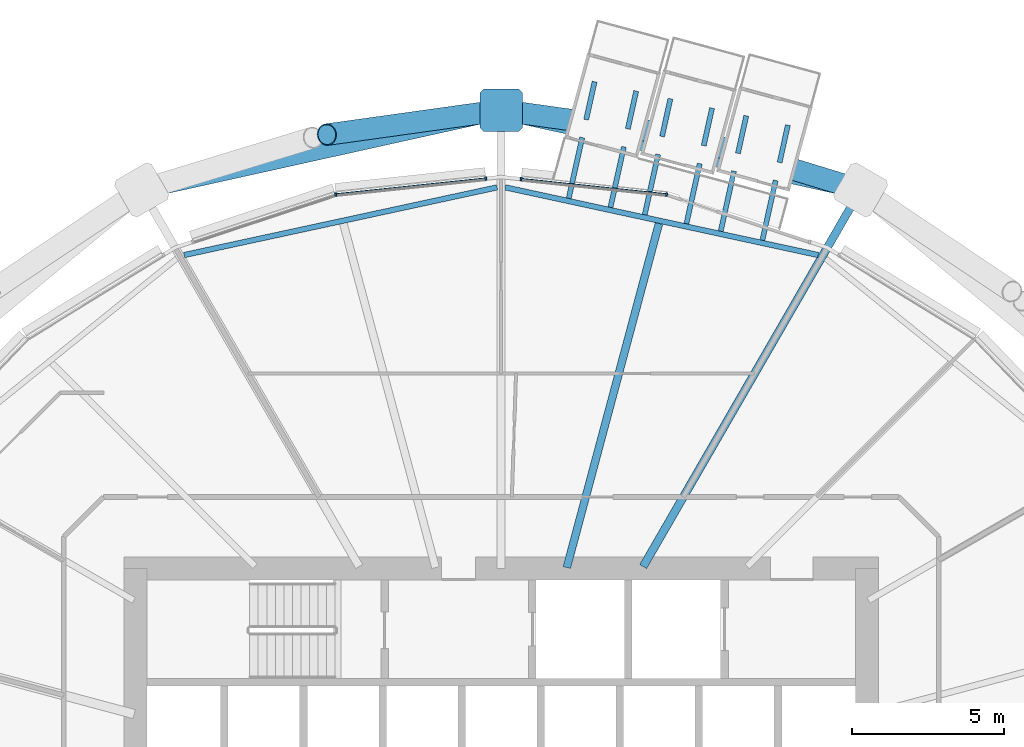
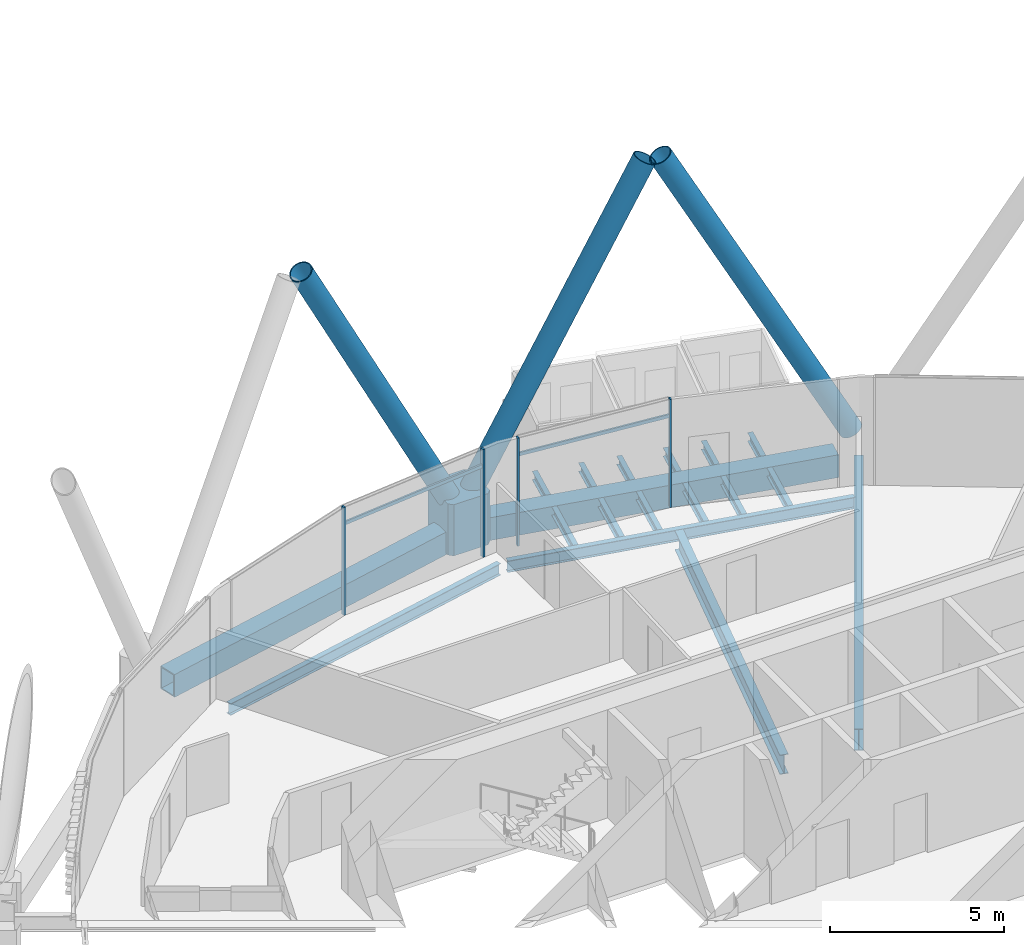
# One storey, part 12 of 38: 18 beams, 10 members, 1 element without a shape of its own.
"""IFC4 building model written with IfcOpenShell, lengths in metres."""

from ifc_helpers import new_model, si_unit, direction, frame, origin, origin_2d, place, context, subcontext, project, spatial, polyline, rectangle, hollow_rectangle, hollow_circle, i_section, outline, extrude, material, material_profile, profile_set, type_object, element, aggregate, save


model = new_model("IFC4")

# Units and contexts
model_context = context("Model", 3, precision=1e-05, world=origin(), true_north=direction((0.0, 1.0)))
body_context = subcontext(model_context, "Body", "Model", "MODEL_VIEW")
ifc_project = project(units=[si_unit("LENGTHUNIT", "METRE"), si_unit("AREAUNIT", "SQUARE_METRE"), si_unit("VOLUMEUNIT", "CUBIC_METRE"), si_unit("PLANEANGLEUNIT", "RADIAN"), si_unit("MASSUNIT", "GRAM", prefix="KILO")], contexts=[model_context])

# Site, building, storey
site_placement = place(None, origin())
site = spatial("IfcSite", under=ifc_project, at=site_placement, CompositionType="ELEMENT")
building_placement = place(site_placement, origin())
building = spatial("IfcBuilding", under=site, at=building_placement, Name="Rimbun Link Towers", CompositionType="ELEMENT")
storey_placement = place(building_placement, frame((0.0, 0.0, 104.39990234375)))
storey = spatial("IfcBuildingStorey", under=building, at=storey_placement, Name="L25", CompositionType="ELEMENT", Elevation=104.39990234375)

# Curtain wall, members
ifc_material_1 = material(Name="Aluminium 6063-T6 and low-iron glass", Category="aluminium")
curtain_wall_type = type_object("IfcCurtainWallType", Name="CW1-Z2 unitised vision wall (zone 2)", PredefinedType="NOTDEFINED", material=ifc_material_1)
curtain_wall_placement = place(storey_placement, origin())
curtain_wall = element("IfcCurtainWall", 1, at=curtain_wall_placement, inside=storey, type_object=curtain_wall_type, Name="CW1 L25 T1", PredefinedType="NOTDEFINED")
ifc_material_2 = material(Name="Aluminium 6063-T6", Category="aluminium")
ifc_material_profile_1 = material_profile(ifc_material_2, rectangle(XDim=0.1201171875, YDim=0.06005859375, at=origin_2d()), Name="MULLION 60X120")
ifc_profile_set_1 = profile_set([ifc_material_profile_1], Name="Aluminium 6063-T6")
member_type_1 = type_object("IfcMemberType", Name="CW1 mullion 60X120", PredefinedType="MULLION", material=ifc_profile_set_1)
member_1_placement = place(storey_placement, frame((-26.320068359375, 20.276123046875, 0.0), z_axis=(0.0, 0.0, 1.0), x_axis=(0.210864978702, 0.9775151972, 0.0)))
member_1 = element("IfcMember", 2, at=member_1_placement, type_object=member_type_1, Name="CW1 mullion", PredefinedType="MULLION", context=body_context, shape_type="SweptSolid", body=[
    extrude(rectangle(XDim=0.1201171875, YDim=0.06005859375, at=origin_2d()), origin(), (0.0, 0.0, 1.0), 3.800048828125),
])
member_2_placement = place(storey_placement, frame((-31.097412109375, 20.779541015625, 0.0), z_axis=(0.0, 0.0, 1.0), x_axis=(0.104731609524, 0.994500522859, 0.0)))
member_2 = element("IfcMember", 3, at=member_2_placement, type_object=member_type_1, Name="CW1 mullion", PredefinedType="MULLION", context=body_context, shape_type="SweptSolid", body=[
    extrude(rectangle(XDim=0.1201171875, YDim=0.06005859375, at=origin_2d()), origin(), (0.0, 0.0, 1.0), 3.800048828125),
])
member_3_placement = place(storey_placement, frame((-37.179931640625, 20.276123046875, 0.0), z_axis=(0.0, 0.0, 1.0), x_axis=(-0.210864978702, 0.9775151972, 0.0)))
member_3 = element("IfcMember", 4, at=member_3_placement, type_object=member_type_1, Name="CW1 mullion", PredefinedType="MULLION", context=body_context, shape_type="SweptSolid", body=[
    extrude(rectangle(XDim=0.1201171875, YDim=0.06005859375, at=origin_2d()), origin(), (0.0, 0.0, 1.0), 3.800048828125),
])
member_4_placement = place(storey_placement, frame((-32.25341796875, 20.79541015625, 0.0), z_axis=(0.0, 0.0, 1.0), x_axis=(-0.104731609524, 0.994500522859, 0.0)))
member_4 = element("IfcMember", 5, at=member_4_placement, type_object=member_type_1, Name="CW1 mullion", PredefinedType="MULLION", context=body_context, shape_type="SweptSolid", body=[
    extrude(rectangle(XDim=0.1201171875, YDim=0.06005859375, at=origin_2d()), origin(), (0.0, 0.0, 1.0), 3.800048828125),
])
ifc_material_3 = material(Name="Aluminium 6063-T6", Category="aluminium")
ifc_material_profile_2 = material_profile(ifc_material_3, rectangle(XDim=0.06005859375, YDim=0.1201171875, at=origin_2d()), Name="TRANSOM 60X120")
ifc_profile_set_2 = profile_set([ifc_material_profile_2], Name="Aluminium 6063-T6")
member_type_2 = type_object("IfcMemberType", Name="CW1 transom 60X120", PredefinedType="USERDEFINED", material=ifc_profile_set_2)
member_5_placement = place(storey_placement, frame((-31.067626953125, 20.7744140625, 3.2001953125), z_axis=(0.994501498721, -0.104722342613, 0.0), x_axis=(0.104722342613, 0.994501498721, 0.0)))
member_5 = element("IfcMember", 6, at=member_5_placement, type_object=member_type_2, Name="CW1 transom", ObjectType="TRANSOM", PredefinedType="USERDEFINED", context=body_context, shape_type="SweptSolid", body=[
    extrude(rectangle(XDim=0.06005859375, YDim=0.1201171875, at=origin_2d()), origin(), (0.0, 0.0, 1.0), 4.7373046875),
])
member_6_placement = place(storey_placement, frame((-37.1435546875, 20.2783203125, 3.2001953125), z_axis=(0.994498059885, 0.104754994554, 0.0), x_axis=(-0.104754994554, 0.994498059885, 0.0)))
member_6 = element("IfcMember", 7, at=member_6_placement, type_object=member_type_2, Name="CW1 transom", ObjectType="TRANSOM", PredefinedType="USERDEFINED", context=body_context, shape_type="SweptSolid", body=[
    extrude(rectangle(XDim=0.06005859375, YDim=0.1201171875, at=origin_2d()), origin(), (0.0, 0.0, 1.0), 4.88720703125),
])
aggregate(curtain_wall, [member_1, member_2, member_3, member_4, member_5, member_6])

# Beams
ifc_material_4 = material(Name="Steel S355J2", Category="steel")
ifc_material_profile_3 = material_profile(ifc_material_4, i_section(OverallWidth=0.1650390625, OverallDepth=0.303466796875, WebThickness=0.006103515625, FlangeThickness=0.01025390625, at=origin_2d()), Name="UB 305x165x40")
ifc_profile_set_3 = profile_set([ifc_material_profile_3], Name="Steel S355J2")
beam_type_1 = type_object("IfcBeamType", Name="Capsule bracket beam UB 305x165x40", PredefinedType="BEAM", material=ifc_profile_set_3)
beam_1_placement = place(storey_placement, frame((-29.532958984375, 20.148193359375, -0.3115234375), z_axis=(0.216170812251, 0.976355560199, 0.0), x_axis=(-0.976355560199, 0.216170812251, 0.0)))
element("IfcBeam", 8, at=beam_1_placement, inside=storey, type_object=beam_type_1, Name="Capsule D251.01 bracket beam 1", PredefinedType="BEAM", context=body_context, shape_type="SweptSolid", body=[
    extrude(i_section(OverallWidth=0.1650390625, OverallDepth=0.303466796875, WebThickness=0.006103515625, FlangeThickness=0.01025390625, at=origin_2d()), origin(), (0.0, 0.0, 1.0), 2.0419921875),
])
beam_2_placement = place(storey_placement, frame((-28.961669921875, 22.727783203125, -0.3115234375), z_axis=(0.216160718702, 0.976357794915, 0.0), x_axis=(-0.976357794915, 0.216160718702, 0.0)))
element("IfcBeam", 9, at=beam_2_placement, inside=storey, type_object=beam_type_1, Name="Capsule D251.01 bracket beam 2", PredefinedType="BEAM", context=body_context, shape_type="SweptSolid", body=[
    extrude(i_section(OverallWidth=0.1650390625, OverallDepth=0.303466796875, WebThickness=0.006103515625, FlangeThickness=0.01025390625, at=origin_2d()), origin(), (0.0, 0.0, 1.0), 1.2763671875),
])
beam_3_placement = place(storey_placement, frame((-28.164794921875, 19.85205078125, -0.3115234375), z_axis=(0.216282641747, 0.976330793778, 0.0), x_axis=(-0.976330793778, 0.216282641747, 0.0)))
element("IfcBeam", 10, at=beam_3_placement, inside=storey, type_object=beam_type_1, Name="Capsule D251.01 bracket beam 3", PredefinedType="BEAM", context=body_context, shape_type="SweptSolid", body=[
    extrude(i_section(OverallWidth=0.1650390625, OverallDepth=0.303466796875, WebThickness=0.006103515625, FlangeThickness=0.01025390625, at=origin_2d()), origin(), (0.0, 0.0, 1.0), 2.03515625),
])
beam_4_placement = place(storey_placement, frame((-27.594970703125, 22.425048828125, -0.3115234375), z_axis=(0.216300444236, 0.976326849894, 0.0), x_axis=(-0.976326849894, 0.216300444236, 0.0)))
element("IfcBeam", 11, at=beam_4_placement, inside=storey, type_object=beam_type_1, Name="Capsule D251.01 bracket beam 4", PredefinedType="BEAM", context=body_context, shape_type="SweptSolid", body=[
    extrude(i_section(OverallWidth=0.1650390625, OverallDepth=0.303466796875, WebThickness=0.006103515625, FlangeThickness=0.01025390625, at=origin_2d()), origin(), (0.0, 0.0, 1.0), 1.27197265625),
])
beam_5_placement = place(storey_placement, frame((-27.040771484375, 19.60888671875, -0.3115234375), z_axis=(0.216268145957, 0.976334004859, 0.0), x_axis=(-0.976334004859, 0.216268145957, 0.0)))
element("IfcBeam", 12, at=beam_5_placement, inside=storey, type_object=beam_type_1, Name="Capsule D251.02 bracket beam 1", PredefinedType="BEAM", context=body_context, shape_type="SweptSolid", body=[
    extrude(i_section(OverallWidth=0.1650390625, OverallDepth=0.303466796875, WebThickness=0.006103515625, FlangeThickness=0.01025390625, at=origin_2d()), origin(), (0.0, 0.0, 1.0), 2.02978515625),
])
beam_6_placement = place(storey_placement, frame((-26.47216796875, 22.17626953125, -0.3115234375), z_axis=(0.216319088571, 0.976322719146, 0.0), x_axis=(-0.976322719146, 0.216319088571, 0.0)))
element("IfcBeam", 13, at=beam_6_placement, inside=storey, type_object=beam_type_1, Name="Capsule D251.02 bracket beam 2", PredefinedType="BEAM", context=body_context, shape_type="SweptSolid", body=[
    extrude(i_section(OverallWidth=0.1650390625, OverallDepth=0.303466796875, WebThickness=0.006103515625, FlangeThickness=0.01025390625, at=origin_2d()), origin(), (0.0, 0.0, 1.0), 1.2685546875),
])
beam_7_placement = place(storey_placement, frame((-25.67236328125, 19.31298828125, -0.3115234375), z_axis=(0.216291420148, 0.976328849093, 0.0), x_axis=(-0.976328849093, 0.216291420148, 0.0)))
element("IfcBeam", 14, at=beam_7_placement, inside=storey, type_object=beam_type_1, Name="Capsule D251.02 bracket beam 3", PredefinedType="BEAM", context=body_context, shape_type="SweptSolid", body=[
    extrude(i_section(OverallWidth=0.1650390625, OverallDepth=0.303466796875, WebThickness=0.006103515625, FlangeThickness=0.01025390625, at=origin_2d()), origin(), (0.0, 0.0, 1.0), 2.022705078125),
])
beam_8_placement = place(storey_placement, frame((-25.105224609375, 21.87353515625, -0.3115234375), z_axis=(0.216276128369, 0.976332236638, 0.0), x_axis=(-0.976332236638, 0.216276128369, 0.0)))
element("IfcBeam", 15, at=beam_8_placement, inside=storey, type_object=beam_type_1, Name="Capsule D251.02 bracket beam 4", PredefinedType="BEAM", context=body_context, shape_type="SweptSolid", body=[
    extrude(i_section(OverallWidth=0.1650390625, OverallDepth=0.303466796875, WebThickness=0.006103515625, FlangeThickness=0.01025390625, at=origin_2d()), origin(), (0.0, 0.0, 1.0), 1.264404296875),
])
beam_9_placement = place(storey_placement, frame((-24.54833984375, 19.06982421875, -0.3115234375), z_axis=(0.216302417498, 0.976326412725, 0.0), x_axis=(-0.976326412725, 0.216302417498, 0.0)))
element("IfcBeam", 16, at=beam_9_placement, inside=storey, type_object=beam_type_1, Name="Capsule D251.03 bracket beam 1", PredefinedType="BEAM", context=body_context, shape_type="SweptSolid", body=[
    extrude(i_section(OverallWidth=0.1650390625, OverallDepth=0.303466796875, WebThickness=0.006103515625, FlangeThickness=0.01025390625, at=origin_2d()), origin(), (0.0, 0.0, 1.0), 2.01708984375),
])
beam_10_placement = place(storey_placement, frame((-23.982421875, 21.624755859375, -0.3115234375), z_axis=(0.216294820128, 0.97632809587, 0.0), x_axis=(-0.97632809587, 0.216294820128, 0.0)))
element("IfcBeam", 17, at=beam_10_placement, inside=storey, type_object=beam_type_1, Name="Capsule D251.03 bracket beam 2", PredefinedType="BEAM", context=body_context, shape_type="SweptSolid", body=[
    extrude(i_section(OverallWidth=0.1650390625, OverallDepth=0.303466796875, WebThickness=0.006103515625, FlangeThickness=0.01025390625, at=origin_2d()), origin(), (0.0, 0.0, 1.0), 1.2607421875),
])
beam_11_placement = place(storey_placement, frame((-23.179931640625, 18.773681640625, -0.3115234375), z_axis=(0.216184536416, 0.976352521487, 0.0), x_axis=(-0.976352521487, 0.216184536416, 0.0)))
element("IfcBeam", 18, at=beam_11_placement, inside=storey, type_object=beam_type_1, Name="Capsule D251.03 bracket beam 3", PredefinedType="BEAM", context=body_context, shape_type="SweptSolid", body=[
    extrude(i_section(OverallWidth=0.1650390625, OverallDepth=0.303466796875, WebThickness=0.006103515625, FlangeThickness=0.01025390625, at=origin_2d()), origin(), (0.0, 0.0, 1.0), 2.01025390625),
])
beam_12_placement = place(storey_placement, frame((-22.615478515625, 21.322021484375, -0.3115234375), z_axis=(0.216251512075, 0.976337689288, 0.0), x_axis=(-0.976337689288, 0.216251512075, 0.0)))
element("IfcBeam", 19, at=beam_12_placement, inside=storey, type_object=beam_type_1, Name="Capsule D251.03 bracket beam 4", PredefinedType="BEAM", context=body_context, shape_type="SweptSolid", body=[
    extrude(i_section(OverallWidth=0.1650390625, OverallDepth=0.303466796875, WebThickness=0.006103515625, FlangeThickness=0.01025390625, at=origin_2d()), origin(), (0.0, 0.0, 1.0), 1.256591796875),
])

# Members
ifc_material_5 = material(Name="Steel S460NH", Category="steel")
ifc_material_profile_4 = material_profile(ifc_material_5, hollow_circle(Radius=0.355712890625, WallThickness=0.031982421875, at=origin_2d()), Name="Diagrid diagonal CHS 711x32")
ifc_profile_set_4 = profile_set([ifc_material_profile_4], Name="Steel S460NH")
member_type_3 = type_object("IfcMemberType", Name="Diagrid diagonal CHS 711x32", PredefinedType="BRACE", material=ifc_profile_set_4)
member_7_placement = place(storey_placement, frame((-20.182861328125, 20.494873046875, 0.44091796875), z_axis=(-0.451752795257, 0.137708802358, 0.881450904889), x_axis=(-0.291585641652, -0.956544726389, 0.0)))
element("IfcMember", 20, at=member_7_placement, inside=storey, type_object=member_type_3, Name="Diagrid diagonal T1 L25-L28 04b", PredefinedType="BRACE", context=body_context, shape_type="SweptSolid", body=[
    extrude(hollow_circle(Radius=0.355712890625, WallThickness=0.031982421875, at=origin_2d()), origin(), (0.0, 0.0, 1.0), 11.933349609375),
])
for number, where, z_axis, x_axis, name in (
    (21, (-31.51904296875, 23.005859375, 0.4423828125), (0.461751081055, -0.064494390575, 0.884661750461), (0.138330694416, 0.990386095915, 0.0), "Diagrid diagonal T1 L25-L28 06a"),
    (22, (-31.98095703125, 23.005859375, 0.4423828125), (-0.461751081055, -0.064494390575, 0.884661750461), (0.138330694416, -0.990386095915, 0.0), "Diagrid diagonal T1 L25-L28 06b"),
):
    element("IfcMember", number, at=place(storey_placement, frame(where, z_axis=z_axis, x_axis=x_axis)), inside=storey, type_object=member_type_3, Name=name, PredefinedType="BRACE", context=body_context, shape_type="SweptSolid", body=[
        extrude(hollow_circle(Radius=0.355712890625, WallThickness=0.031982421875, at=origin_2d()), origin(), (0.0, 0.0, 1.0), 11.88623046875),
    ])
ifc_material_6 = material(Name="Cast steel G20Mn5+QT, Rp0.2 300 MPa", Category="steel")
ifc_material_profile_5 = material_profile(ifc_material_6, outline(polyline([(0.699951171875, -0.570068359375), (0.699951171875, 0.570068359375), (0.570068359375, 0.699951171875), (-0.570068359375, 0.699951171875), (-0.699951171875, 0.570068359375), (-0.699951171875, -0.570068359375), (-0.570068359375, -0.699951171875), (0.570068359375, -0.699951171875), (0.699951171875, -0.570068359375)])), Name="NODE 1400x1400")
ifc_profile_set_5 = profile_set([ifc_material_profile_5], Name="Cast steel G20Mn5+QT, Rp0.2 300 MPa")
member_type_4 = type_object("IfcMemberType", Name="Diagrid node cast 1400", PredefinedType="USERDEFINED", material=ifc_profile_set_5)
member_8_placement = place(storey_placement, frame((-31.75, 23.0380859375, -0.89990234375), z_axis=(0.0, 0.0, 1.0), x_axis=(0.0, 1.0, 0.0)))
element("IfcMember", 23, at=member_8_placement, inside=storey, type_object=member_type_4, Name="Diagrid node L25 06", ObjectType="Diagrid node", PredefinedType="USERDEFINED", context=body_context, shape_type="SweptSolid", body=[
    extrude(outline(polyline([(0.699951171875, -0.570068359375), (0.699951171875, 0.570068359375), (0.570068359375, 0.699951171875), (-0.570068359375, 0.699951171875), (-0.699951171875, 0.570068359375), (-0.699951171875, -0.570068359375), (-0.570068359375, -0.699951171875), (0.570068359375, -0.699951171875), (0.699951171875, -0.570068359375)])), origin(), (0.0, 0.0, 1.0), 1.800048828125),
])

# Beams
ifc_material_7 = material(Name="Steel S355J2", Category="steel")
ifc_material_profile_6 = material_profile(ifc_material_7, hollow_rectangle(XDim=0.60009765625, YDim=0.800048828125, WallThickness=0.0400390625, at=origin_2d()), Name="Exoskeleton ring girder BOX 600x800x40")
ifc_profile_set_6 = profile_set([ifc_material_profile_6], Name="Steel S355J2")
beam_type_2 = type_object("IfcBeamType", Name="Exoskeleton ring girder BOX 600x800x40", PredefinedType="BEAM", material=ifc_profile_set_6)
for number, where, z_axis, x_axis, name in (
    (24, (-20.640380859375, 20.577392578125, -0.559814453125), (-0.976337980344, 0.216250198007, 0.0), (-0.216250198007, -0.976337980344, 0.0), "Exoskeleton ring girder L25 02"),
    (25, (-32.433349609375, 22.88671875, -0.559814453125), (-0.976337980344, -0.216250198007, 0.0), (0.216250198007, -0.976337980344, 0.0), "Exoskeleton ring girder L25 03"),
):
    element("IfcBeam", number, at=place(storey_placement, frame(where, z_axis=z_axis, x_axis=x_axis)), inside=storey, type_object=beam_type_2, Name=name, PredefinedType="BEAM", context=body_context, shape_type="SweptSolid", body=[
        extrude(hollow_rectangle(XDim=0.60009765625, YDim=0.800048828125, WallThickness=0.0400390625, at=origin_2d()), origin(), (0.0, 0.0, 1.0), 10.678955078125),
    ])
ifc_material_8 = material(Name="Steel S355J2", Category="steel")
ifc_material_profile_7 = material_profile(ifc_material_8, i_section(OverallWidth=0.177978515625, OverallDepth=0.406494140625, WebThickness=0.0078125, FlangeThickness=0.0126953125, at=origin_2d()), Name="UB 406x178x60")
ifc_profile_set_7 = profile_set([ifc_material_profile_7], Name="Steel S355J2")
beam_type_3 = type_object("IfcBeamType", Name="UB 406x178x60", PredefinedType="BEAM", material=ifc_profile_set_7)
for number, where, z_axis, x_axis, name in (
    (26, (-21.347412109375, 18.286376953125, -0.363037109375), (-0.977394181999, 0.211425194794, 0.0), (-0.211425194794, -0.977394181999, 0.0), "Edge beam T1 L25 04-06"),
    (27, (-31.88427734375, 20.507568359375, -0.363037109375), (-0.977394181999, -0.211425194794, 0.0), (0.211425194794, -0.977394181999, 0.0), "Edge beam T1 L25 06-08"),
):
    element("IfcBeam", number, at=place(storey_placement, frame(where, z_axis=z_axis, x_axis=x_axis)), inside=storey, type_object=beam_type_3, Name=name, PredefinedType="BEAM", context=body_context, shape_type="SweptSolid", body=[
        extrude(i_section(OverallWidth=0.177978515625, OverallDepth=0.406494140625, WebThickness=0.0078125, FlangeThickness=0.0126953125, at=origin_2d()), origin(), (0.0, 0.0, 1.0), 10.505859375),
    ])
ifc_material_9 = material(Name="Steel S355J2", Category="steel")
ifc_material_profile_8 = material_profile(ifc_material_9, i_section(OverallWidth=0.253662109375, OverallDepth=0.68359375, WebThickness=0.012451171875, FlangeThickness=0.01904296875, at=origin_2d()), Name="UB 686x254x140")
ifc_profile_set_8 = profile_set([ifc_material_profile_8], Name="Steel S355J2")
beam_type_4 = type_object("IfcBeamType", Name="UB 686x254x140", PredefinedType="BEAM", material=ifc_profile_set_8)
beam_13_placement = place(storey_placement, frame((-29.597412109375, 8.03369140625, -0.501708984375), z_axis=(0.258822040224, 0.965925023744, 0.0), x_axis=(-0.965925023744, 0.258822040224, 0.0)))
element("IfcBeam", 28, at=beam_13_placement, inside=storey, type_object=beam_type_4, Name="Radial beam T1 L25 05", PredefinedType="BEAM", context=body_context, shape_type="SweptSolid", body=[
    extrude(i_section(OverallWidth=0.253662109375, OverallDepth=0.68359375, WebThickness=0.012451171875, FlangeThickness=0.01904296875, at=origin_2d()), origin(), (0.0, 0.0, 1.0), 11.68896484375),
])
ifc_material_10 = material(Name="Steel S355J2", Category="steel")
ifc_material_profile_9 = material_profile(ifc_material_10, i_section(OverallWidth=0.2666015625, OverallDepth=0.76220703125, WebThickness=0.014404296875, FlangeThickness=0.021484375, at=origin_2d()), Name="UB 762x267x173")
ifc_profile_set_9 = profile_set([ifc_material_profile_9], Name="Steel S355J2")
beam_type_5 = type_object("IfcBeamType", Name="UB 762x267x173", PredefinedType="BEAM", material=ifc_profile_set_9)
beam_14_placement = place(storey_placement, frame((-27.09228515625, 8.0673828125, -0.541015625), z_axis=(0.500002279114, 0.866024087933, 0.0), x_axis=(-0.866024087933, 0.500002279114, 0.0)))
element("IfcBeam", 29, at=beam_14_placement, inside=storey, type_object=beam_type_5, Name="Radial beam T1 L25 04", PredefinedType="BEAM", context=body_context, shape_type="SweptSolid", body=[
    extrude(i_section(OverallWidth=0.2666015625, OverallDepth=0.76220703125, WebThickness=0.014404296875, FlangeThickness=0.021484375, at=origin_2d()), origin(), (0.0, 0.0, 1.0), 13.7705078125),
])

save(model, "model.ifc")
